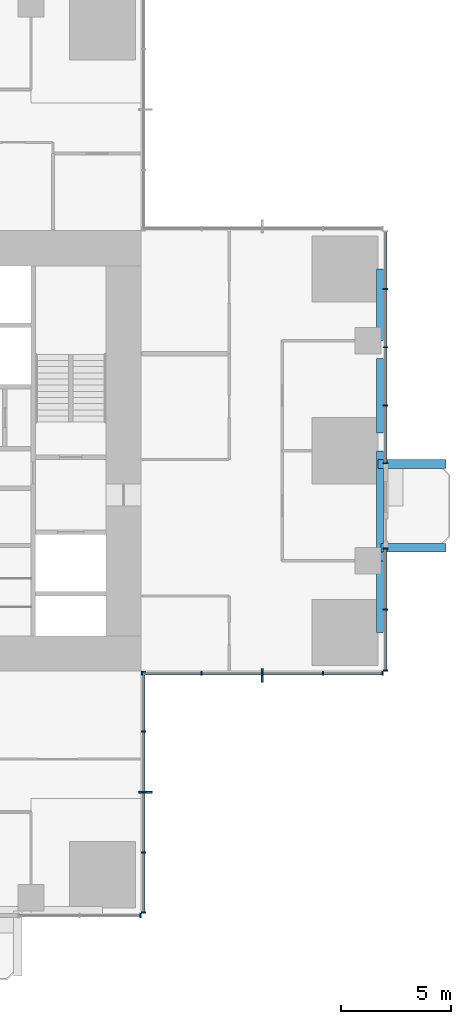
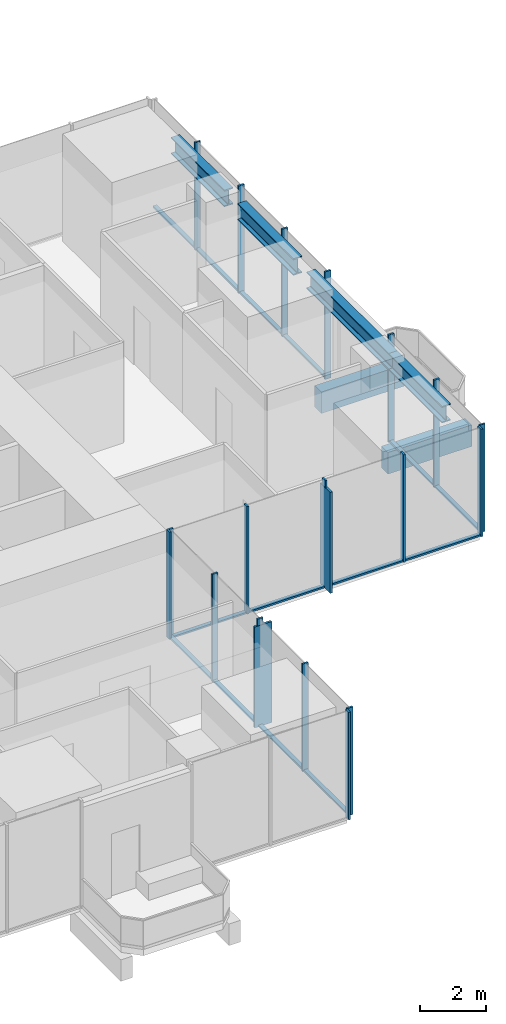
# One storey, part 4 of 14: 34 members, 6 beams, 5 elements without a shape of their own.
"""IFC4 building model written with IfcOpenShell, lengths in metres."""

from ifc_helpers import new_model, si_unit, direction, frame, origin, origin_2d, place, context, subcontext, project, spatial, rectangle, i_section, extrude, material, material_profile, profile_set, type_object, element, aggregate, save


model = new_model("IFC4")

# Units and contexts
model_context = context("Model", 3, precision=1e-05, world=origin(), true_north=direction((0.0, 1.0)))
body_context = subcontext(model_context, "Body", "Model", "MODEL_VIEW")
ifc_project = project(units=[si_unit("LENGTHUNIT", "METRE"), si_unit("AREAUNIT", "SQUARE_METRE"), si_unit("VOLUMEUNIT", "CUBIC_METRE"), si_unit("PLANEANGLEUNIT", "RADIAN"), si_unit("MASSUNIT", "GRAM", prefix="KILO")], contexts=[model_context])

# Site, building, storey
site_placement = place(None, origin())
site = spatial("IfcSite", under=ifc_project, at=site_placement, CompositionType="ELEMENT")
building_placement = place(site_placement, origin())
building = spatial("IfcBuilding", under=site, at=building_placement, Name="Svetlomir Tower", CompositionType="ELEMENT")
storey_placement = place(building_placement, frame((0.0, 0.0, 104.5)))
storey = spatial("IfcBuildingStorey", under=building, at=storey_placement, Name="L24", CompositionType="ELEMENT", Elevation=104.5)

# Beams
ifc_material_1 = material(Name="Concrete C60/75", Category="concrete")
ifc_material_profile_1 = material_profile(ifc_material_1, rectangle(XDim=0.39990234375, YDim=0.800048828125, at=origin_2d()), Name="RC 400x800")
ifc_profile_set_1 = profile_set([ifc_material_profile_1], Name="Concrete C60/75")
beam_type_1 = type_object("IfcBeamType", Name="BALCONY RIB RC 400x800", PredefinedType="BEAM", material=ifc_profile_set_1)
beam_1_placement = place(storey_placement, frame((41.89990234375, 16.60009765625, -0.64990234375), z_axis=(1.0, 0.0, 0.0), x_axis=(0.0, 1.0, 0.0)))
element("IfcBeam", 1, at=beam_1_placement, inside=storey, type_object=beam_type_1, Name="Balcony rib E 1 L24", PredefinedType="BEAM", context=body_context, shape_type="SweptSolid", body=[
    extrude(rectangle(XDim=0.39990234375, YDim=0.800048828125, at=origin_2d()), origin(), (0.0, 0.0, 1.0), 2.9501953125),
])
beam_2_placement = place(storey_placement, frame((41.75, 20.39990234375, -0.64990234375), z_axis=(1.0, 0.0, 0.0), x_axis=(0.0, 1.0, 0.0)))
element("IfcBeam", 2, at=beam_2_placement, inside=storey, type_object=beam_type_1, Name="Balcony rib E 2 L24", PredefinedType="BEAM", context=body_context, shape_type="SweptSolid", body=[
    extrude(rectangle(XDim=0.39990234375, YDim=0.800048828125, at=origin_2d()), origin(), (0.0, 0.0, 1.0), 3.10009765625),
])

# Curtain wall, member
ifc_material_2 = material(Name="Bronze anodised aluminium curtain wall", Category="aluminium")
curtain_wall_type = type_object("IfcCurtainWallType", Name="CURTAIN WALL CW1 TOWER OFFICE", PredefinedType="NOTDEFINED", material=ifc_material_2)
curtain_wall_1_placement = place(storey_placement, origin())
curtain_wall_1 = element("IfcCurtainWall", 3, at=curtain_wall_1_placement, inside=storey, type_object=curtain_wall_type, Name="Curtain wall CW1 L24", PredefinedType="NOTDEFINED")
ifc_material_3 = material(Name="Bronze anodised aluminium", Category="aluminium")
ifc_material_profile_2 = material_profile(ifc_material_3, rectangle(XDim=0.080078125, YDim=0.60009765625, at=origin_2d()), Name="FIN 80x600")
ifc_profile_set_2 = profile_set([ifc_material_profile_2], Name="Bronze anodised aluminium 6063-T6")
member_type_1 = type_object("IfcMemberType", Name="BRONZE FIN 80x600", PredefinedType="USERDEFINED", material=ifc_profile_set_2)
member_1_placement = place(storey_placement, frame((31.199951171875, 5.5, 0.0), z_axis=(0.0, 0.0, 1.0), x_axis=(0.0, 1.0, 0.0)))
member_1 = element("IfcMember", 4, at=member_1_placement, type_object=member_type_1, Name="Bronze fin L24", ObjectType="FIN", PredefinedType="USERDEFINED", context=body_context, shape_type="SweptSolid", body=[
    extrude(rectangle(XDim=0.080078125, YDim=0.60009765625, at=origin_2d()), origin(), (0.0, 0.0, 1.0), 3.75),
])

curtain_wall_2_placement = place(storey_placement, origin())
curtain_wall_2 = element("IfcCurtainWall", 5, at=curtain_wall_2_placement, inside=storey, type_object=curtain_wall_type, Name="Curtain wall CW1 L24", PredefinedType="NOTDEFINED")
member_2_placement = place(storey_placement, frame((36.5, 10.800048828125, 0.0), z_axis=(0.0, 0.0, 1.0), x_axis=(1.0, 0.0, 0.0)))
member_2 = element("IfcMember", 6, at=member_2_placement, type_object=member_type_1, Name="Bronze fin L24", ObjectType="FIN", PredefinedType="USERDEFINED", context=body_context, shape_type="SweptSolid", body=[
    extrude(rectangle(XDim=0.080078125, YDim=0.60009765625, at=origin_2d()), origin(), (0.0, 0.0, 1.0), 3.75),
])

curtain_wall_3_placement = place(storey_placement, origin())
curtain_wall_3 = element("IfcCurtainWall", 7, at=curtain_wall_3_placement, inside=storey, type_object=curtain_wall_type, Name="Curtain wall CW1 L24", PredefinedType="NOTDEFINED")
ifc_material_4 = material(Name="Bronze anodised aluminium", Category="aluminium")
ifc_material_profile_3 = material_profile(ifc_material_4, rectangle(XDim=0.06494140625, YDim=0.199951171875, at=origin_2d()), Name="AL 65x200")
ifc_profile_set_3 = profile_set([ifc_material_profile_3], Name="Bronze anodised aluminium 6063-T6")
member_type_2 = type_object("IfcMemberType", Name="CW1 MULLION 65x200", PredefinedType="MULLION", material=ifc_profile_set_3)
member_3_placement = place(storey_placement, frame((30.967529296875, -0.10009765625, 0.0), z_axis=(0.0, 0.0, 1.0), x_axis=(1.0, 0.0, 0.0)))
member_3 = element("IfcMember", 8, at=member_3_placement, type_object=member_type_2, Name="CW1 mullion 3", PredefinedType="MULLION", context=body_context, shape_type="SweptSolid", body=[
    extrude(rectangle(XDim=0.06494140625, YDim=0.199951171875, at=origin_2d()), origin(), (0.0, 0.0, 1.0), 4.0),
])
aggregate(curtain_wall_3, [member_3])

# Member
member_4_placement = place(storey_placement, frame((31.10009765625, 0.032470703125, 0.0), z_axis=(0.0, 0.0, 1.0), x_axis=(0.0, 1.0, 0.0)))
member_4 = element("IfcMember", 9, at=member_4_placement, type_object=member_type_2, Name="CW1 mullion 1", PredefinedType="MULLION", context=body_context, shape_type="SweptSolid", body=[
    extrude(rectangle(XDim=0.06494140625, YDim=0.199951171875, at=origin_2d()), origin(), (0.0, 0.0, 1.0), 4.0),
])

member_5_placement = place(storey_placement, frame((31.10009765625, 2.75, 0.0), z_axis=(0.0, 0.0, 1.0), x_axis=(0.0, 1.0, 0.0)))
member_5 = element("IfcMember", 10, at=member_5_placement, type_object=member_type_2, Name="CW1 mullion 2", PredefinedType="MULLION", context=body_context, shape_type="SweptSolid", body=[
    extrude(rectangle(XDim=0.06494140625, YDim=0.199951171875, at=origin_2d()), origin(), (0.0, 0.0, 1.0), 4.0),
])

member_6_placement = place(storey_placement, frame((31.10009765625, 5.5, 0.0), z_axis=(0.0, 0.0, 1.0), x_axis=(0.0, 1.0, 0.0)))
member_6 = element("IfcMember", 11, at=member_6_placement, type_object=member_type_2, Name="CW1 mullion 3", PredefinedType="MULLION", context=body_context, shape_type="SweptSolid", body=[
    extrude(rectangle(XDim=0.06494140625, YDim=0.199951171875, at=origin_2d()), origin(), (0.0, 0.0, 1.0), 4.0),
])

member_7_placement = place(storey_placement, frame((31.10009765625, 8.25, 0.0), z_axis=(0.0, 0.0, 1.0), x_axis=(0.0, 1.0, 0.0)))
member_7 = element("IfcMember", 12, at=member_7_placement, type_object=member_type_2, Name="CW1 mullion 4", PredefinedType="MULLION", context=body_context, shape_type="SweptSolid", body=[
    extrude(rectangle(XDim=0.06494140625, YDim=0.199951171875, at=origin_2d()), origin(), (0.0, 0.0, 1.0), 4.0),
])

member_8_placement = place(storey_placement, frame((31.10009765625, 10.967529296875, 0.0), z_axis=(0.0, 0.0, 1.0), x_axis=(0.0, 1.0, 0.0)))
member_8 = element("IfcMember", 13, at=member_8_placement, type_object=member_type_2, Name="CW1 mullion 5", PredefinedType="MULLION", context=body_context, shape_type="SweptSolid", body=[
    extrude(rectangle(XDim=0.06494140625, YDim=0.199951171875, at=origin_2d()), origin(), (0.0, 0.0, 1.0), 4.0),
])

member_9_placement = place(storey_placement, frame((31.032470703125, 10.89990234375, 0.0), z_axis=(0.0, 0.0, 1.0), x_axis=(1.0, 0.0, 0.0)))
member_9 = element("IfcMember", 14, at=member_9_placement, type_object=member_type_2, Name="CW1 mullion 1", PredefinedType="MULLION", context=body_context, shape_type="SweptSolid", body=[
    extrude(rectangle(XDim=0.06494140625, YDim=0.199951171875, at=origin_2d()), origin(), (0.0, 0.0, 1.0), 4.0),
])

member_10_placement = place(storey_placement, frame((33.75, 10.89990234375, 0.0), z_axis=(0.0, 0.0, 1.0), x_axis=(1.0, 0.0, 0.0)))
member_10 = element("IfcMember", 15, at=member_10_placement, type_object=member_type_2, Name="CW1 mullion 2", PredefinedType="MULLION", context=body_context, shape_type="SweptSolid", body=[
    extrude(rectangle(XDim=0.06494140625, YDim=0.199951171875, at=origin_2d()), origin(), (0.0, 0.0, 1.0), 4.0),
])

member_11_placement = place(storey_placement, frame((36.5, 10.89990234375, 0.0), z_axis=(0.0, 0.0, 1.0), x_axis=(1.0, 0.0, 0.0)))
member_11 = element("IfcMember", 16, at=member_11_placement, type_object=member_type_2, Name="CW1 mullion 3", PredefinedType="MULLION", context=body_context, shape_type="SweptSolid", body=[
    extrude(rectangle(XDim=0.06494140625, YDim=0.199951171875, at=origin_2d()), origin(), (0.0, 0.0, 1.0), 4.0),
])

member_12_placement = place(storey_placement, frame((39.25, 10.89990234375, 0.0), z_axis=(0.0, 0.0, 1.0), x_axis=(1.0, 0.0, 0.0)))
member_12 = element("IfcMember", 17, at=member_12_placement, type_object=member_type_2, Name="CW1 mullion 4", PredefinedType="MULLION", context=body_context, shape_type="SweptSolid", body=[
    extrude(rectangle(XDim=0.06494140625, YDim=0.199951171875, at=origin_2d()), origin(), (0.0, 0.0, 1.0), 4.0),
])

member_13_placement = place(storey_placement, frame((41.967529296875, 10.89990234375, 0.0), z_axis=(0.0, 0.0, 1.0), x_axis=(1.0, 0.0, 0.0)))
member_13 = element("IfcMember", 18, at=member_13_placement, type_object=member_type_2, Name="CW1 mullion 5", PredefinedType="MULLION", context=body_context, shape_type="SweptSolid", body=[
    extrude(rectangle(XDim=0.06494140625, YDim=0.199951171875, at=origin_2d()), origin(), (0.0, 0.0, 1.0), 4.0),
])

# Curtain wall, members
curtain_wall_4_placement = place(storey_placement, origin())
curtain_wall_4 = element("IfcCurtainWall", 19, at=curtain_wall_4_placement, inside=storey, type_object=curtain_wall_type, Name="Curtain wall CW1 L24", PredefinedType="NOTDEFINED")
member_14_placement = place(storey_placement, frame((42.10009765625, 11.032470703125, 0.0), z_axis=(0.0, 0.0, 1.0), x_axis=(0.0, 1.0, 0.0)))
member_14 = element("IfcMember", 20, at=member_14_placement, type_object=member_type_2, Name="CW1 mullion 1", PredefinedType="MULLION", context=body_context, shape_type="SweptSolid", body=[
    extrude(rectangle(XDim=0.06494140625, YDim=0.199951171875, at=origin_2d()), origin(), (0.0, 0.0, 1.0), 4.0),
])
member_15_placement = place(storey_placement, frame((42.10009765625, 13.800048828125, 0.0), z_axis=(0.0, 0.0, 1.0), x_axis=(0.0, 1.0, 0.0)))
member_15 = element("IfcMember", 21, at=member_15_placement, type_object=member_type_2, Name="CW1 mullion 2", PredefinedType="MULLION", context=body_context, shape_type="SweptSolid", body=[
    extrude(rectangle(XDim=0.06494140625, YDim=0.199951171875, at=origin_2d()), origin(), (0.0, 0.0, 1.0), 4.0),
])
member_16_placement = place(storey_placement, frame((42.10009765625, 16.5673828125, 0.0), z_axis=(0.0, 0.0, 1.0), x_axis=(0.0, 1.0, 0.0)))
member_16 = element("IfcMember", 22, at=member_16_placement, type_object=member_type_2, Name="CW1 mullion 3", PredefinedType="MULLION", context=body_context, shape_type="SweptSolid", body=[
    extrude(rectangle(XDim=0.06494140625, YDim=0.199951171875, at=origin_2d()), origin(), (0.0, 0.0, 1.0), 4.0),
])

curtain_wall_5_placement = place(storey_placement, origin())
curtain_wall_5 = element("IfcCurtainWall", 23, at=curtain_wall_5_placement, inside=storey, type_object=curtain_wall_type, Name="Curtain wall CW1 L24", PredefinedType="NOTDEFINED")
member_17_placement = place(storey_placement, frame((42.10009765625, 20.4326171875, 0.0), z_axis=(0.0, 0.0, 1.0), x_axis=(0.0, 1.0, 0.0)))
member_17 = element("IfcMember", 24, at=member_17_placement, type_object=member_type_2, Name="CW1 mullion 1", PredefinedType="MULLION", context=body_context, shape_type="SweptSolid", body=[
    extrude(rectangle(XDim=0.06494140625, YDim=0.199951171875, at=origin_2d()), origin(), (0.0, 0.0, 1.0), 4.0),
])
member_18_placement = place(storey_placement, frame((42.10009765625, 23.050048828125, 0.0), z_axis=(0.0, 0.0, 1.0), x_axis=(0.0, 1.0, 0.0)))
member_18 = element("IfcMember", 25, at=member_18_placement, type_object=member_type_2, Name="CW1 mullion 2", PredefinedType="MULLION", context=body_context, shape_type="SweptSolid", body=[
    extrude(rectangle(XDim=0.06494140625, YDim=0.199951171875, at=origin_2d()), origin(), (0.0, 0.0, 1.0), 4.0),
])
member_19_placement = place(storey_placement, frame((42.10009765625, 25.699951171875, 0.0), z_axis=(0.0, 0.0, 1.0), x_axis=(0.0, 1.0, 0.0)))
member_19 = element("IfcMember", 26, at=member_19_placement, type_object=member_type_2, Name="CW1 mullion 3", PredefinedType="MULLION", context=body_context, shape_type="SweptSolid", body=[
    extrude(rectangle(XDim=0.06494140625, YDim=0.199951171875, at=origin_2d()), origin(), (0.0, 0.0, 1.0), 4.0),
])
member_20_placement = place(storey_placement, frame((42.10009765625, 28.35009765625, 0.0), z_axis=(0.0, 0.0, 1.0), x_axis=(0.0, 1.0, 0.0)))
member_20 = element("IfcMember", 27, at=member_20_placement, type_object=member_type_2, Name="CW1 mullion 4", PredefinedType="MULLION", context=body_context, shape_type="SweptSolid", body=[
    extrude(rectangle(XDim=0.06494140625, YDim=0.199951171875, at=origin_2d()), origin(), (0.0, 0.0, 1.0), 4.0),
])

# Member
ifc_material_5 = material(Name="Bronze anodised aluminium", Category="aluminium")
ifc_material_profile_4 = material_profile(ifc_material_5, rectangle(XDim=0.139892578125, YDim=0.06494140625, at=origin_2d()), Name="AL 140x65")
ifc_profile_set_4 = profile_set([ifc_material_profile_4], Name="Bronze anodised aluminium 6063-T6")
member_type_3 = type_object("IfcMemberType", Name="CW1 TRANSOM 65x140", PredefinedType="USERDEFINED", material=ifc_profile_set_4)
member_21_placement = place(storey_placement, frame((31.10009765625, 0.06494140625, 0.032470703125), z_axis=(0.0, 1.0, 0.0), x_axis=(-1.0, 0.0, 0.0)))
member_21 = element("IfcMember", 28, at=member_21_placement, type_object=member_type_3, Name="CW1 transom 1.1", ObjectType="TRANSOM", PredefinedType="USERDEFINED", context=body_context, shape_type="SweptSolid", body=[
    extrude(rectangle(XDim=0.139892578125, YDim=0.06494140625, at=origin_2d()), origin(), (0.0, 0.0, 1.0), 2.652587890625),
])

member_22_placement = place(storey_placement, frame((31.10009765625, 2.782470703125, 0.032470703125), z_axis=(0.0, 1.0, 0.0), x_axis=(-1.0, 0.0, 0.0)))
member_22 = element("IfcMember", 29, at=member_22_placement, type_object=member_type_3, Name="CW1 transom 2.1", ObjectType="TRANSOM", PredefinedType="USERDEFINED", context=body_context, shape_type="SweptSolid", body=[
    extrude(rectangle(XDim=0.139892578125, YDim=0.06494140625, at=origin_2d()), origin(), (0.0, 0.0, 1.0), 2.68505859375),
])

member_23_placement = place(storey_placement, frame((31.10009765625, 5.532470703125, 0.032470703125), z_axis=(0.0, 1.0, 0.0), x_axis=(-1.0, 0.0, 0.0)))
member_23 = element("IfcMember", 30, at=member_23_placement, type_object=member_type_3, Name="CW1 transom 3.1", ObjectType="TRANSOM", PredefinedType="USERDEFINED", context=body_context, shape_type="SweptSolid", body=[
    extrude(rectangle(XDim=0.139892578125, YDim=0.06494140625, at=origin_2d()), origin(), (0.0, 0.0, 1.0), 2.68505859375),
])

member_24_placement = place(storey_placement, frame((31.10009765625, 8.282470703125, 0.032470703125), z_axis=(0.0, 1.0, 0.0), x_axis=(-1.0, 0.0, 0.0)))
member_24 = element("IfcMember", 31, at=member_24_placement, type_object=member_type_3, Name="CW1 transom 4.1", ObjectType="TRANSOM", PredefinedType="USERDEFINED", context=body_context, shape_type="SweptSolid", body=[
    extrude(rectangle(XDim=0.139892578125, YDim=0.06494140625, at=origin_2d()), origin(), (0.0, 0.0, 1.0), 2.652587890625),
])

aggregate(curtain_wall_1, [member_4, member_5, member_6, member_7, member_8, member_21, member_22, member_23, member_24, member_1])

member_25_placement = place(storey_placement, frame((31.06494140625, 10.89990234375, 0.032470703125), z_axis=(1.0, 0.0, 0.0), x_axis=(0.0, 1.0, 0.0)))
member_25 = element("IfcMember", 32, at=member_25_placement, type_object=member_type_3, Name="CW1 transom 1.1", ObjectType="TRANSOM", PredefinedType="USERDEFINED", context=body_context, shape_type="SweptSolid", body=[
    extrude(rectangle(XDim=0.139892578125, YDim=0.06494140625, at=origin_2d()), origin(), (0.0, 0.0, 1.0), 2.652587890625),
])

member_26_placement = place(storey_placement, frame((33.782470703125, 10.89990234375, 0.032470703125), z_axis=(1.0, 0.0, 0.0), x_axis=(0.0, 1.0, 0.0)))
member_26 = element("IfcMember", 33, at=member_26_placement, type_object=member_type_3, Name="CW1 transom 2.1", ObjectType="TRANSOM", PredefinedType="USERDEFINED", context=body_context, shape_type="SweptSolid", body=[
    extrude(rectangle(XDim=0.139892578125, YDim=0.06494140625, at=origin_2d()), origin(), (0.0, 0.0, 1.0), 2.68505859375),
])

member_27_placement = place(storey_placement, frame((36.532470703125, 10.89990234375, 0.032470703125), z_axis=(1.0, 0.0, 0.0), x_axis=(0.0, 1.0, 0.0)))
member_27 = element("IfcMember", 34, at=member_27_placement, type_object=member_type_3, Name="CW1 transom 3.1", ObjectType="TRANSOM", PredefinedType="USERDEFINED", context=body_context, shape_type="SweptSolid", body=[
    extrude(rectangle(XDim=0.139892578125, YDim=0.06494140625, at=origin_2d()), origin(), (0.0, 0.0, 1.0), 2.68505859375),
])

member_28_placement = place(storey_placement, frame((39.282470703125, 10.89990234375, 0.032470703125), z_axis=(1.0, 0.0, 0.0), x_axis=(0.0, 1.0, 0.0)))
member_28 = element("IfcMember", 35, at=member_28_placement, type_object=member_type_3, Name="CW1 transom 4.1", ObjectType="TRANSOM", PredefinedType="USERDEFINED", context=body_context, shape_type="SweptSolid", body=[
    extrude(rectangle(XDim=0.139892578125, YDim=0.06494140625, at=origin_2d()), origin(), (0.0, 0.0, 1.0), 2.652587890625),
])

aggregate(curtain_wall_2, [member_9, member_10, member_11, member_12, member_13, member_25, member_26, member_27, member_28, member_2])

member_29_placement = place(storey_placement, frame((42.10009765625, 11.06494140625, 0.032470703125), z_axis=(0.0, 1.0, 0.0), x_axis=(-1.0, 0.0, 0.0)))
member_29 = element("IfcMember", 36, at=member_29_placement, type_object=member_type_3, Name="CW1 transom 1.1", ObjectType="TRANSOM", PredefinedType="USERDEFINED", context=body_context, shape_type="SweptSolid", body=[
    extrude(rectangle(XDim=0.139892578125, YDim=0.06494140625, at=origin_2d()), origin(), (0.0, 0.0, 1.0), 2.70263671875),
])

member_30_placement = place(storey_placement, frame((42.10009765625, 13.83251953125, 0.032470703125), z_axis=(0.0, 1.0, 0.0), x_axis=(-1.0, 0.0, 0.0)))
member_30 = element("IfcMember", 37, at=member_30_placement, type_object=member_type_3, Name="CW1 transom 2.1", ObjectType="TRANSOM", PredefinedType="USERDEFINED", context=body_context, shape_type="SweptSolid", body=[
    extrude(rectangle(XDim=0.139892578125, YDim=0.06494140625, at=origin_2d()), origin(), (0.0, 0.0, 1.0), 2.702392578125),
])

aggregate(curtain_wall_4, [member_14, member_15, member_16, member_29, member_30])

member_31_placement = place(storey_placement, frame((42.10009765625, 20.465087890625, 0.032470703125), z_axis=(0.0, 1.0, 0.0), x_axis=(-1.0, 0.0, 0.0)))
member_31 = element("IfcMember", 38, at=member_31_placement, type_object=member_type_3, Name="CW1 transom 1.1", ObjectType="TRANSOM", PredefinedType="USERDEFINED", context=body_context, shape_type="SweptSolid", body=[
    extrude(rectangle(XDim=0.139892578125, YDim=0.06494140625, at=origin_2d()), origin(), (0.0, 0.0, 1.0), 2.552490234375),
])

member_32_placement = place(storey_placement, frame((42.10009765625, 23.08251953125, 0.032470703125), z_axis=(0.0, 1.0, 0.0), x_axis=(-1.0, 0.0, 0.0)))
member_32 = element("IfcMember", 39, at=member_32_placement, type_object=member_type_3, Name="CW1 transom 2.1", ObjectType="TRANSOM", PredefinedType="USERDEFINED", context=body_context, shape_type="SweptSolid", body=[
    extrude(rectangle(XDim=0.139892578125, YDim=0.06494140625, at=origin_2d()), origin(), (0.0, 0.0, 1.0), 2.5849609375),
])

member_33_placement = place(storey_placement, frame((42.10009765625, 25.732421875, 0.032470703125), z_axis=(0.0, 1.0, 0.0), x_axis=(-1.0, 0.0, 0.0)))
member_33 = element("IfcMember", 40, at=member_33_placement, type_object=member_type_3, Name="CW1 transom 3.1", ObjectType="TRANSOM", PredefinedType="USERDEFINED", context=body_context, shape_type="SweptSolid", body=[
    extrude(rectangle(XDim=0.139892578125, YDim=0.06494140625, at=origin_2d()), origin(), (0.0, 0.0, 1.0), 2.5849609375),
])

member_34_placement = place(storey_placement, frame((42.10009765625, 28.382568359375, 0.032470703125), z_axis=(0.0, 1.0, 0.0), x_axis=(-1.0, 0.0, 0.0)))
member_34 = element("IfcMember", 41, at=member_34_placement, type_object=member_type_3, Name="CW1 transom 4.1", ObjectType="TRANSOM", PredefinedType="USERDEFINED", context=body_context, shape_type="SweptSolid", body=[
    extrude(rectangle(XDim=0.139892578125, YDim=0.06494140625, at=origin_2d()), origin(), (0.0, 0.0, 1.0), 2.552490234375),
])

aggregate(curtain_wall_5, [member_17, member_18, member_19, member_20, member_31, member_32, member_33, member_34])

# Beams
ifc_material_6 = material(Name="Steel S355", Category="steel")
ifc_material_profile_5 = material_profile(ifc_material_6, i_section(OverallWidth=0.304931640625, OverallDepth=0.6201171875, WebThickness=0.02099609375, FlangeThickness=0.0400390625, FilletRadius=0.027099609375, at=origin_2d()), Name="HEM 600")
ifc_profile_set_5 = profile_set([ifc_material_profile_5], Name="Steel S355")
beam_type_2 = type_object("IfcBeamType", Name="EDGE BEAM HEM 600", PredefinedType="SPANDREL", material=ifc_profile_set_5)
beam_3_placement = place(storey_placement, frame((41.847412109375, 12.75, 3.43994140625), z_axis=(0.0, 1.0, 0.0), x_axis=(-1.0, 0.0, 0.0)))
element("IfcBeam", 42, at=beam_3_placement, inside=storey, type_object=beam_type_2, Name="Edge beam 42/11 to 42/16 under L25", PredefinedType="SPANDREL", context=body_context, shape_type="SweptSolid", body=[
    extrude(i_section(OverallWidth=0.304931640625, OverallDepth=0.6201171875, WebThickness=0.02099609375, FlangeThickness=0.0400390625, FilletRadius=0.027099609375, at=origin_2d()), origin(), (0.0, 0.0, 1.0), 3.25),
])
beam_4_placement = place(storey_placement, frame((41.847412109375, 16.0, 3.43994140625), z_axis=(0.0, 1.0, 0.0), x_axis=(-1.0, 0.0, 0.0)))
element("IfcBeam", 43, at=beam_4_placement, inside=storey, type_object=beam_type_2, Name="Edge beam 42/16 to 42/21 under L25", PredefinedType="SPANDREL", context=body_context, shape_type="SweptSolid", body=[
    extrude(i_section(OverallWidth=0.304931640625, OverallDepth=0.6201171875, WebThickness=0.02099609375, FlangeThickness=0.0400390625, FilletRadius=0.027099609375, at=origin_2d()), origin(), (0.0, 0.0, 1.0), 5.0),
])
beam_5_placement = place(storey_placement, frame((41.847412109375, 21.800048828125, 3.43994140625), z_axis=(0.0, 1.0, 0.0), x_axis=(-1.0, 0.0, 0.0)))
element("IfcBeam", 44, at=beam_5_placement, inside=storey, type_object=beam_type_2, Name="Edge beam 42/21 to 42/26 under L25", PredefinedType="SPANDREL", context=body_context, shape_type="SweptSolid", body=[
    extrude(i_section(OverallWidth=0.304931640625, OverallDepth=0.6201171875, WebThickness=0.02099609375, FlangeThickness=0.0400390625, FilletRadius=0.027099609375, at=origin_2d()), origin(), (0.0, 0.0, 1.0), 3.39990234375),
])
beam_6_placement = place(storey_placement, frame((41.847412109375, 26.0, 3.43994140625), z_axis=(0.0, 1.0, 0.0), x_axis=(-1.0, 0.0, 0.0)))
element("IfcBeam", 45, at=beam_6_placement, inside=storey, type_object=beam_type_2, Name="Edge beam 42/26 to 42/31 under L25", PredefinedType="SPANDREL", context=body_context, shape_type="SweptSolid", body=[
    extrude(i_section(OverallWidth=0.304931640625, OverallDepth=0.6201171875, WebThickness=0.02099609375, FlangeThickness=0.0400390625, FilletRadius=0.027099609375, at=origin_2d()), origin(), (0.0, 0.0, 1.0), 3.25),
])

save(model, "model.ifc")
